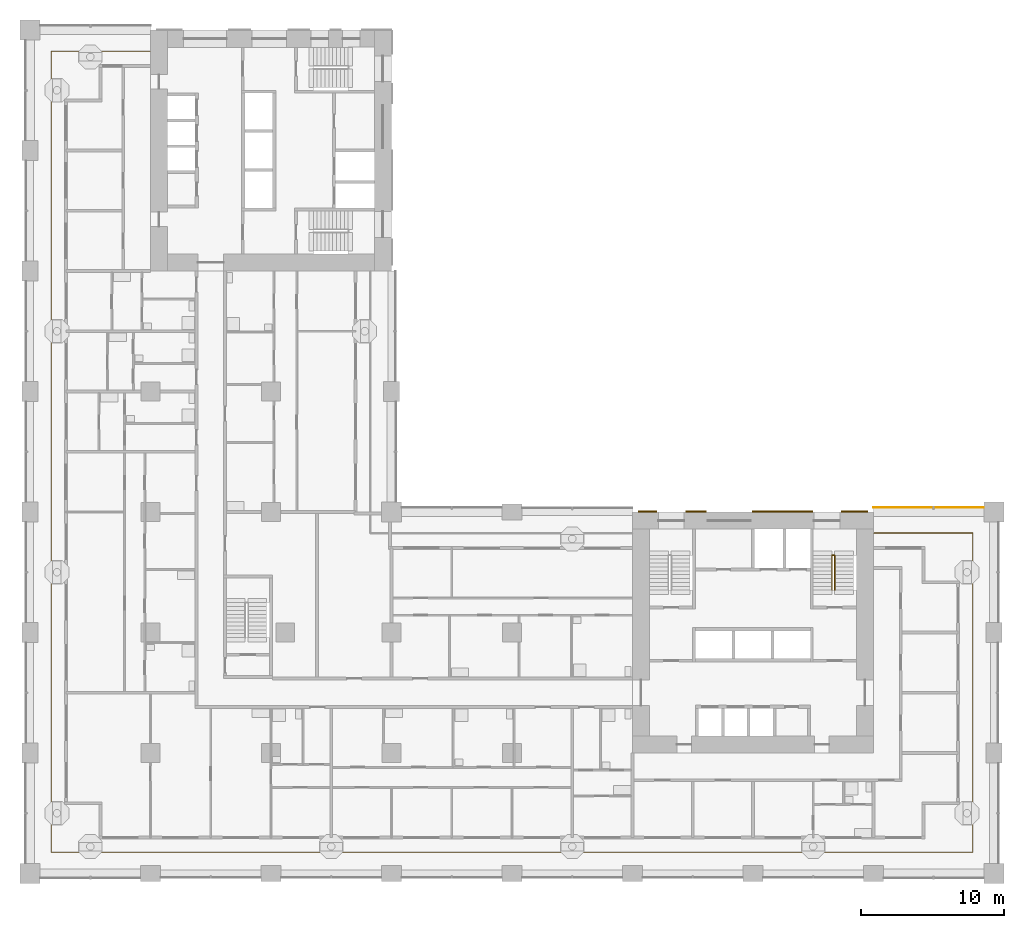
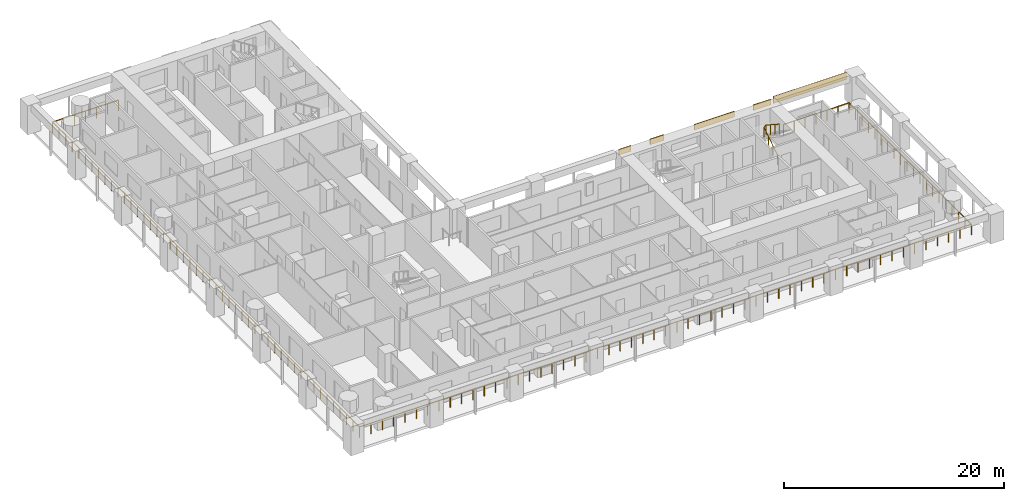
# One storey, part 12 of 19: 5 shading devices, 2 railings.
"""IFC4 building model written with IfcOpenShell, lengths in metres."""

from ifc_helpers import new_model, si_unit, direction, frame, origin, origin_2d, place, context, subcontext, project, spatial, rectangle, circle, extrude, material, layer, layer_set, type_object, element, save


model = new_model("IFC4")

# Units and contexts
model_context = context("Model", 3, precision=1e-05, world=origin(), true_north=direction((0.0, 1.0)))
body_context = subcontext(model_context, "Body", "Model", "MODEL_VIEW")
ifc_project = project(units=[si_unit("LENGTHUNIT", "METRE"), si_unit("AREAUNIT", "SQUARE_METRE"), si_unit("VOLUMEUNIT", "CUBIC_METRE"), si_unit("PLANEANGLEUNIT", "RADIAN"), si_unit("MASSUNIT", "GRAM", prefix="KILO")], contexts=[model_context])

# Site, building, storey
site_placement = place(None, origin())
site = spatial("IfcSite", under=ifc_project, at=site_placement, CompositionType="ELEMENT")
building_placement = place(site_placement, origin())
building = spatial("IfcBuilding", under=site, at=building_placement, Name="Vermilion Gate Residences", CompositionType="ELEMENT")
storey_placement = place(building_placement, frame((0.0, 0.0, 28.699951171875)))
storey = spatial("IfcBuildingStorey", under=building, at=storey_placement, Name="L05", CompositionType="ELEMENT", Elevation=28.699951171875)

# Railing
ifc_material_1 = material(Name="Stainless steel and toughened glass", Category="steel")
railing_type_1 = type_object("IfcRailingType", Name="LOGGIA GUARD STEEL AND GLASS 1200", PredefinedType="GUARDRAIL", material=ifc_material_1)
railing_1_placement = place(storey_placement, frame((8.3779296875, 57.324951171875, 0.0)))
element("IfcRailing", 1, at=railing_1_placement, inside=storey, type_object=railing_type_1, Name="Loggia guard", PredefinedType="GUARDRAIL", context=body_context, shape_type="SweptSolid", body=[
    extrude(circle(Radius=0.030029296875, at=origin_2d()), frame((0.0, 0.0, 1.169921875), z_axis=(-1.0, 0.0, 0.0), x_axis=(0.0, -1.0, 0.0)), (0.0, 0.0, 1.0), 6.90283203125),
    extrude(circle(Radius=0.030029296875, at=origin_2d()), frame((-6.90283203125, 0.0, 1.169921875), z_axis=(0.0, -1.0, 0.0), x_axis=(1.0, 0.0, 0.0)), (0.0, 0.0, 1.0), 55.849853515625),
    extrude(circle(Radius=0.030029296875, at=origin_2d()), frame((-6.90283203125, -55.849853515625, 1.169921875), z_axis=(1.0, 0.0, 0.0), x_axis=(0.0, 1.0, 0.0)), (0.0, 0.0, 1.0), 64.25),
    extrude(circle(Radius=0.030029296875, at=origin_2d()), frame((57.34716796875, -55.849853515625, 1.169921875), z_axis=(0.0, 1.0, 0.0), x_axis=(-1.0, 0.0, 0.0)), (0.0, 0.0, 1.0), 22.25),
    extrude(circle(Radius=0.030029296875, at=origin_2d()), frame((57.34716796875, -33.599853515625, 1.169921875), z_axis=(-1.0, 0.0, 0.0), x_axis=(0.0, -1.0, 0.0)), (0.0, 0.0, 1.0), 6.903076171875),
    extrude(circle(Radius=0.02490234375, at=origin_2d()), origin(), (0.0, 0.0, 1.0), 1.139892578125),
    extrude(circle(Radius=0.02490234375, at=origin_2d()), frame((-1.150390625, 0.0, 0.0)), (0.0, 0.0, 1.0), 1.139892578125),
    extrude(circle(Radius=0.02490234375, at=origin_2d()), frame((-2.301025390625, 0.0, 0.0)), (0.0, 0.0, 1.0), 1.139892578125),
    extrude(circle(Radius=0.02490234375, at=origin_2d()), frame((-3.451416015625, 0.0, 0.0)), (0.0, 0.0, 1.0), 1.139892578125),
    extrude(circle(Radius=0.02490234375, at=origin_2d()), frame((-4.601806640625, 0.0, 0.0)), (0.0, 0.0, 1.0), 1.139892578125),
    extrude(circle(Radius=0.02490234375, at=origin_2d()), frame((-5.75244140625, 0.0, 0.0)), (0.0, 0.0, 1.0), 1.139892578125),
    extrude(circle(Radius=0.02490234375, at=origin_2d()), frame((-6.90283203125, 0.0, 0.0)), (0.0, 0.0, 1.0), 1.139892578125),
    extrude(circle(Radius=0.02490234375, at=origin_2d()), frame((-6.90283203125, -1.188232421875, 0.0)), (0.0, 0.0, 1.0), 1.139892578125),
    extrude(circle(Radius=0.02490234375, at=origin_2d()), frame((-6.90283203125, -2.376708984375, 0.0)), (0.0, 0.0, 1.0), 1.139892578125),
    extrude(circle(Radius=0.02490234375, at=origin_2d()), frame((-6.90283203125, -3.56494140625, 0.0)), (0.0, 0.0, 1.0), 1.139892578125),
    extrude(circle(Radius=0.02490234375, at=origin_2d()), frame((-6.90283203125, -4.753173828125, 0.0)), (0.0, 0.0, 1.0), 1.139892578125),
    extrude(circle(Radius=0.02490234375, at=origin_2d()), frame((-6.90283203125, -5.94140625, 0.0)), (0.0, 0.0, 1.0), 1.139892578125),
    extrude(circle(Radius=0.02490234375, at=origin_2d()), frame((-6.90283203125, -7.1298828125, 0.0)), (0.0, 0.0, 1.0), 1.139892578125),
    extrude(circle(Radius=0.02490234375, at=origin_2d()), frame((-6.90283203125, -8.318115234375, 0.0)), (0.0, 0.0, 1.0), 1.139892578125),
    extrude(circle(Radius=0.02490234375, at=origin_2d()), frame((-6.90283203125, -9.50634765625, 0.0)), (0.0, 0.0, 1.0), 1.139892578125),
    extrude(circle(Radius=0.02490234375, at=origin_2d()), frame((-6.90283203125, -10.694580078125, 0.0)), (0.0, 0.0, 1.0), 1.139892578125),
    extrude(circle(Radius=0.02490234375, at=origin_2d()), frame((-6.90283203125, -11.883056640625, 0.0)), (0.0, 0.0, 1.0), 1.139892578125),
    extrude(circle(Radius=0.02490234375, at=origin_2d()), frame((-6.90283203125, -13.0712890625, 0.0)), (0.0, 0.0, 1.0), 1.139892578125),
    extrude(circle(Radius=0.02490234375, at=origin_2d()), frame((-6.90283203125, -14.259521484375, 0.0)), (0.0, 0.0, 1.0), 1.139892578125),
    extrude(circle(Radius=0.02490234375, at=origin_2d()), frame((-6.90283203125, -15.44775390625, 0.0)), (0.0, 0.0, 1.0), 1.139892578125),
    extrude(circle(Radius=0.02490234375, at=origin_2d()), frame((-6.90283203125, -16.63623046875, 0.0)), (0.0, 0.0, 1.0), 1.139892578125),
    extrude(circle(Radius=0.02490234375, at=origin_2d()), frame((-6.90283203125, -17.824462890625, 0.0)), (0.0, 0.0, 1.0), 1.139892578125),
    extrude(circle(Radius=0.02490234375, at=origin_2d()), frame((-6.90283203125, -19.0126953125, 0.0)), (0.0, 0.0, 1.0), 1.139892578125),
    extrude(circle(Radius=0.02490234375, at=origin_2d()), frame((-6.90283203125, -20.200927734375, 0.0)), (0.0, 0.0, 1.0), 1.139892578125),
    extrude(circle(Radius=0.02490234375, at=origin_2d()), frame((-6.90283203125, -21.389404296875, 0.0)), (0.0, 0.0, 1.0), 1.139892578125),
    extrude(circle(Radius=0.02490234375, at=origin_2d()), frame((-6.90283203125, -22.57763671875, 0.0)), (0.0, 0.0, 1.0), 1.139892578125),
    extrude(circle(Radius=0.02490234375, at=origin_2d()), frame((-6.90283203125, -23.765869140625, 0.0)), (0.0, 0.0, 1.0), 1.139892578125),
    extrude(circle(Radius=0.02490234375, at=origin_2d()), frame((-6.90283203125, -24.9541015625, 0.0)), (0.0, 0.0, 1.0), 1.139892578125),
    extrude(circle(Radius=0.02490234375, at=origin_2d()), frame((-6.90283203125, -26.142578125, 0.0)), (0.0, 0.0, 1.0), 1.139892578125),
    extrude(circle(Radius=0.02490234375, at=origin_2d()), frame((-6.90283203125, -27.330810546875, 0.0)), (0.0, 0.0, 1.0), 1.139892578125),
    extrude(circle(Radius=0.02490234375, at=origin_2d()), frame((-6.90283203125, -28.51904296875, 0.0)), (0.0, 0.0, 1.0), 1.139892578125),
    extrude(circle(Radius=0.02490234375, at=origin_2d()), frame((-6.90283203125, -29.707275390625, 0.0)), (0.0, 0.0, 1.0), 1.139892578125),
    extrude(circle(Radius=0.02490234375, at=origin_2d()), frame((-6.90283203125, -30.895751953125, 0.0)), (0.0, 0.0, 1.0), 1.139892578125),
    extrude(circle(Radius=0.02490234375, at=origin_2d()), frame((-6.90283203125, -32.083984375, 0.0)), (0.0, 0.0, 1.0), 1.139892578125),
    extrude(circle(Radius=0.02490234375, at=origin_2d()), frame((-6.90283203125, -33.272216796875, 0.0)), (0.0, 0.0, 1.0), 1.139892578125),
    extrude(circle(Radius=0.02490234375, at=origin_2d()), frame((-6.90283203125, -34.46044921875, 0.0)), (0.0, 0.0, 1.0), 1.139892578125),
    extrude(circle(Radius=0.02490234375, at=origin_2d()), frame((-6.90283203125, -35.64892578125, 0.0)), (0.0, 0.0, 1.0), 1.139892578125),
    extrude(circle(Radius=0.02490234375, at=origin_2d()), frame((-6.90283203125, -36.837158203125, 0.0)), (0.0, 0.0, 1.0), 1.139892578125),
    extrude(circle(Radius=0.02490234375, at=origin_2d()), frame((-6.90283203125, -38.025390625, 0.0)), (0.0, 0.0, 1.0), 1.139892578125),
    extrude(circle(Radius=0.02490234375, at=origin_2d()), frame((-6.90283203125, -39.213623046875, 0.0)), (0.0, 0.0, 1.0), 1.139892578125),
    extrude(circle(Radius=0.02490234375, at=origin_2d()), frame((-6.90283203125, -40.402099609375, 0.0)), (0.0, 0.0, 1.0), 1.139892578125),
    extrude(circle(Radius=0.02490234375, at=origin_2d()), frame((-6.90283203125, -41.59033203125, 0.0)), (0.0, 0.0, 1.0), 1.139892578125),
    extrude(circle(Radius=0.02490234375, at=origin_2d()), frame((-6.90283203125, -42.778564453125, 0.0)), (0.0, 0.0, 1.0), 1.139892578125),
    extrude(circle(Radius=0.02490234375, at=origin_2d()), frame((-6.90283203125, -43.966796875, 0.0)), (0.0, 0.0, 1.0), 1.139892578125),
    extrude(circle(Radius=0.02490234375, at=origin_2d()), frame((-6.90283203125, -45.1552734375, 0.0)), (0.0, 0.0, 1.0), 1.139892578125),
    extrude(circle(Radius=0.02490234375, at=origin_2d()), frame((-6.90283203125, -46.343505859375, 0.0)), (0.0, 0.0, 1.0), 1.139892578125),
    extrude(circle(Radius=0.02490234375, at=origin_2d()), frame((-6.90283203125, -47.53173828125, 0.0)), (0.0, 0.0, 1.0), 1.139892578125),
    extrude(circle(Radius=0.02490234375, at=origin_2d()), frame((-6.90283203125, -48.719970703125, 0.0)), (0.0, 0.0, 1.0), 1.139892578125),
    extrude(circle(Radius=0.02490234375, at=origin_2d()), frame((-6.90283203125, -49.908447265625, 0.0)), (0.0, 0.0, 1.0), 1.139892578125),
    extrude(circle(Radius=0.02490234375, at=origin_2d()), frame((-6.90283203125, -51.0966796875, 0.0)), (0.0, 0.0, 1.0), 1.139892578125),
    extrude(circle(Radius=0.02490234375, at=origin_2d()), frame((-6.90283203125, -52.284912109375, 0.0)), (0.0, 0.0, 1.0), 1.139892578125),
    extrude(circle(Radius=0.02490234375, at=origin_2d()), frame((-6.90283203125, -53.47314453125, 0.0)), (0.0, 0.0, 1.0), 1.139892578125),
    extrude(circle(Radius=0.02490234375, at=origin_2d()), frame((-6.90283203125, -54.66162109375, 0.0)), (0.0, 0.0, 1.0), 1.139892578125),
    extrude(circle(Radius=0.02490234375, at=origin_2d()), frame((-6.90283203125, -55.849853515625, 0.0)), (0.0, 0.0, 1.0), 1.139892578125),
    extrude(circle(Radius=0.02490234375, at=origin_2d()), frame((-5.713134765625, -55.849853515625, 0.0)), (0.0, 0.0, 1.0), 1.139892578125),
    extrude(circle(Radius=0.02490234375, at=origin_2d()), frame((-4.523193359375, -55.849853515625, 0.0)), (0.0, 0.0, 1.0), 1.139892578125),
    extrude(circle(Radius=0.02490234375, at=origin_2d()), frame((-3.33349609375, -55.849853515625, 0.0)), (0.0, 0.0, 1.0), 1.139892578125),
    extrude(circle(Radius=0.02490234375, at=origin_2d()), frame((-2.1435546875, -55.849853515625, 0.0)), (0.0, 0.0, 1.0), 1.139892578125),
    extrude(circle(Radius=0.02490234375, at=origin_2d()), frame((-0.953857421875, -55.849853515625, 0.0)), (0.0, 0.0, 1.0), 1.139892578125),
    extrude(circle(Radius=0.02490234375, at=origin_2d()), frame((0.236083984375, -55.849853515625, 0.0)), (0.0, 0.0, 1.0), 1.139892578125),
    extrude(circle(Radius=0.02490234375, at=origin_2d()), frame((1.42578125, -55.849853515625, 0.0)), (0.0, 0.0, 1.0), 1.139892578125),
    extrude(circle(Radius=0.02490234375, at=origin_2d()), frame((2.61572265625, -55.849853515625, 0.0)), (0.0, 0.0, 1.0), 1.139892578125),
    extrude(circle(Radius=0.02490234375, at=origin_2d()), frame((3.805419921875, -55.849853515625, 0.0)), (0.0, 0.0, 1.0), 1.139892578125),
    extrude(circle(Radius=0.02490234375, at=origin_2d()), frame((4.995361328125, -55.849853515625, 0.0)), (0.0, 0.0, 1.0), 1.139892578125),
    extrude(circle(Radius=0.02490234375, at=origin_2d()), frame((6.18505859375, -55.849853515625, 0.0)), (0.0, 0.0, 1.0), 1.139892578125),
    extrude(circle(Radius=0.02490234375, at=origin_2d()), frame((7.375, -55.849853515625, 0.0)), (0.0, 0.0, 1.0), 1.139892578125),
    extrude(circle(Radius=0.02490234375, at=origin_2d()), frame((8.564697265625, -55.849853515625, 0.0)), (0.0, 0.0, 1.0), 1.139892578125),
    extrude(circle(Radius=0.02490234375, at=origin_2d()), frame((9.754638671875, -55.849853515625, 0.0)), (0.0, 0.0, 1.0), 1.139892578125),
    extrude(circle(Radius=0.02490234375, at=origin_2d()), frame((10.9443359375, -55.849853515625, 0.0)), (0.0, 0.0, 1.0), 1.139892578125),
    extrude(circle(Radius=0.02490234375, at=origin_2d()), frame((12.13427734375, -55.849853515625, 0.0)), (0.0, 0.0, 1.0), 1.139892578125),
    extrude(circle(Radius=0.02490234375, at=origin_2d()), frame((13.323974609375, -55.849853515625, 0.0)), (0.0, 0.0, 1.0), 1.139892578125),
    extrude(circle(Radius=0.02490234375, at=origin_2d()), frame((14.513916015625, -55.849853515625, 0.0)), (0.0, 0.0, 1.0), 1.139892578125),
    extrude(circle(Radius=0.02490234375, at=origin_2d()), frame((15.70361328125, -55.849853515625, 0.0)), (0.0, 0.0, 1.0), 1.139892578125),
    extrude(circle(Radius=0.02490234375, at=origin_2d()), frame((16.8935546875, -55.849853515625, 0.0)), (0.0, 0.0, 1.0), 1.139892578125),
    extrude(circle(Radius=0.02490234375, at=origin_2d()), frame((18.083251953125, -55.849853515625, 0.0)), (0.0, 0.0, 1.0), 1.139892578125),
    extrude(circle(Radius=0.02490234375, at=origin_2d()), frame((19.273193359375, -55.849853515625, 0.0)), (0.0, 0.0, 1.0), 1.139892578125),
    extrude(circle(Radius=0.02490234375, at=origin_2d()), frame((20.462890625, -55.849853515625, 0.0)), (0.0, 0.0, 1.0), 1.139892578125),
    extrude(circle(Radius=0.02490234375, at=origin_2d()), frame((21.65283203125, -55.849853515625, 0.0)), (0.0, 0.0, 1.0), 1.139892578125),
    extrude(circle(Radius=0.02490234375, at=origin_2d()), frame((22.842529296875, -55.849853515625, 0.0)), (0.0, 0.0, 1.0), 1.139892578125),
    extrude(circle(Radius=0.02490234375, at=origin_2d()), frame((24.032470703125, -55.849853515625, 0.0)), (0.0, 0.0, 1.0), 1.139892578125),
    extrude(circle(Radius=0.02490234375, at=origin_2d()), frame((25.22216796875, -55.849853515625, 0.0)), (0.0, 0.0, 1.0), 1.139892578125),
    extrude(circle(Radius=0.02490234375, at=origin_2d()), frame((26.411865234375, -55.849853515625, 0.0)), (0.0, 0.0, 1.0), 1.139892578125),
    extrude(circle(Radius=0.02490234375, at=origin_2d()), frame((27.601806640625, -55.849853515625, 0.0)), (0.0, 0.0, 1.0), 1.139892578125),
    extrude(circle(Radius=0.02490234375, at=origin_2d()), frame((28.79150390625, -55.849853515625, 0.0)), (0.0, 0.0, 1.0), 1.139892578125),
    extrude(circle(Radius=0.02490234375, at=origin_2d()), frame((29.9814453125, -55.849853515625, 0.0)), (0.0, 0.0, 1.0), 1.139892578125),
    extrude(circle(Radius=0.02490234375, at=origin_2d()), frame((31.171142578125, -55.849853515625, 0.0)), (0.0, 0.0, 1.0), 1.139892578125),
    extrude(circle(Radius=0.02490234375, at=origin_2d()), frame((32.361083984375, -55.849853515625, 0.0)), (0.0, 0.0, 1.0), 1.139892578125),
    extrude(circle(Radius=0.02490234375, at=origin_2d()), frame((33.55078125, -55.849853515625, 0.0)), (0.0, 0.0, 1.0), 1.139892578125),
    extrude(circle(Radius=0.02490234375, at=origin_2d()), frame((34.74072265625, -55.849853515625, 0.0)), (0.0, 0.0, 1.0), 1.139892578125),
    extrude(circle(Radius=0.02490234375, at=origin_2d()), frame((35.930419921875, -55.849853515625, 0.0)), (0.0, 0.0, 1.0), 1.139892578125),
    extrude(circle(Radius=0.02490234375, at=origin_2d()), frame((37.120361328125, -55.849853515625, 0.0)), (0.0, 0.0, 1.0), 1.139892578125),
    extrude(circle(Radius=0.02490234375, at=origin_2d()), frame((38.31005859375, -55.849853515625, 0.0)), (0.0, 0.0, 1.0), 1.139892578125),
    extrude(circle(Radius=0.02490234375, at=origin_2d()), frame((39.5, -55.849853515625, 0.0)), (0.0, 0.0, 1.0), 1.139892578125),
    extrude(circle(Radius=0.02490234375, at=origin_2d()), frame((40.689697265625, -55.849853515625, 0.0)), (0.0, 0.0, 1.0), 1.139892578125),
    extrude(circle(Radius=0.02490234375, at=origin_2d()), frame((41.879638671875, -55.849853515625, 0.0)), (0.0, 0.0, 1.0), 1.139892578125),
    extrude(circle(Radius=0.02490234375, at=origin_2d()), frame((43.0693359375, -55.849853515625, 0.0)), (0.0, 0.0, 1.0), 1.139892578125),
    extrude(circle(Radius=0.02490234375, at=origin_2d()), frame((44.25927734375, -55.849853515625, 0.0)), (0.0, 0.0, 1.0), 1.139892578125),
    extrude(circle(Radius=0.02490234375, at=origin_2d()), frame((45.448974609375, -55.849853515625, 0.0)), (0.0, 0.0, 1.0), 1.139892578125),
    extrude(circle(Radius=0.02490234375, at=origin_2d()), frame((46.638916015625, -55.849853515625, 0.0)), (0.0, 0.0, 1.0), 1.139892578125),
    extrude(circle(Radius=0.02490234375, at=origin_2d()), frame((47.82861328125, -55.849853515625, 0.0)), (0.0, 0.0, 1.0), 1.139892578125),
    extrude(circle(Radius=0.02490234375, at=origin_2d()), frame((49.0185546875, -55.849853515625, 0.0)), (0.0, 0.0, 1.0), 1.139892578125),
    extrude(circle(Radius=0.02490234375, at=origin_2d()), frame((50.208251953125, -55.849853515625, 0.0)), (0.0, 0.0, 1.0), 1.139892578125),
    extrude(circle(Radius=0.02490234375, at=origin_2d()), frame((51.398193359375, -55.849853515625, 0.0)), (0.0, 0.0, 1.0), 1.139892578125),
    extrude(circle(Radius=0.02490234375, at=origin_2d()), frame((52.587890625, -55.849853515625, 0.0)), (0.0, 0.0, 1.0), 1.139892578125),
    extrude(circle(Radius=0.02490234375, at=origin_2d()), frame((53.77783203125, -55.849853515625, 0.0)), (0.0, 0.0, 1.0), 1.139892578125),
    extrude(circle(Radius=0.02490234375, at=origin_2d()), frame((54.967529296875, -55.849853515625, 0.0)), (0.0, 0.0, 1.0), 1.139892578125),
    extrude(circle(Radius=0.02490234375, at=origin_2d()), frame((56.157470703125, -55.849853515625, 0.0)), (0.0, 0.0, 1.0), 1.139892578125),
    extrude(circle(Radius=0.02490234375, at=origin_2d()), frame((57.34716796875, -55.849853515625, 0.0)), (0.0, 0.0, 1.0), 1.139892578125),
    extrude(circle(Radius=0.02490234375, at=origin_2d()), frame((57.34716796875, -54.6787109375, 0.0)), (0.0, 0.0, 1.0), 1.139892578125),
    extrude(circle(Radius=0.02490234375, at=origin_2d()), frame((57.34716796875, -53.5078125, 0.0)), (0.0, 0.0, 1.0), 1.139892578125),
    extrude(circle(Radius=0.02490234375, at=origin_2d()), frame((57.34716796875, -52.336669921875, 0.0)), (0.0, 0.0, 1.0), 1.139892578125),
    extrude(circle(Radius=0.02490234375, at=origin_2d()), frame((57.34716796875, -51.16552734375, 0.0)), (0.0, 0.0, 1.0), 1.139892578125),
    extrude(circle(Radius=0.02490234375, at=origin_2d()), frame((57.34716796875, -49.99462890625, 0.0)), (0.0, 0.0, 1.0), 1.139892578125),
    extrude(circle(Radius=0.02490234375, at=origin_2d()), frame((57.34716796875, -48.823486328125, 0.0)), (0.0, 0.0, 1.0), 1.139892578125),
    extrude(circle(Radius=0.02490234375, at=origin_2d()), frame((57.34716796875, -47.652587890625, 0.0)), (0.0, 0.0, 1.0), 1.139892578125),
    extrude(circle(Radius=0.02490234375, at=origin_2d()), frame((57.34716796875, -46.4814453125, 0.0)), (0.0, 0.0, 1.0), 1.139892578125),
    extrude(circle(Radius=0.02490234375, at=origin_2d()), frame((57.34716796875, -45.310302734375, 0.0)), (0.0, 0.0, 1.0), 1.139892578125),
    extrude(circle(Radius=0.02490234375, at=origin_2d()), frame((57.34716796875, -44.139404296875, 0.0)), (0.0, 0.0, 1.0), 1.139892578125),
    extrude(circle(Radius=0.02490234375, at=origin_2d()), frame((57.34716796875, -42.96826171875, 0.0)), (0.0, 0.0, 1.0), 1.139892578125),
    extrude(circle(Radius=0.02490234375, at=origin_2d()), frame((57.34716796875, -41.797119140625, 0.0)), (0.0, 0.0, 1.0), 1.139892578125),
    extrude(circle(Radius=0.02490234375, at=origin_2d()), frame((57.34716796875, -40.626220703125, 0.0)), (0.0, 0.0, 1.0), 1.139892578125),
    extrude(circle(Radius=0.02490234375, at=origin_2d()), frame((57.34716796875, -39.455078125, 0.0)), (0.0, 0.0, 1.0), 1.139892578125),
    extrude(circle(Radius=0.02490234375, at=origin_2d()), frame((57.34716796875, -38.2841796875, 0.0)), (0.0, 0.0, 1.0), 1.139892578125),
    extrude(circle(Radius=0.02490234375, at=origin_2d()), frame((57.34716796875, -37.113037109375, 0.0)), (0.0, 0.0, 1.0), 1.139892578125),
    extrude(circle(Radius=0.02490234375, at=origin_2d()), frame((57.34716796875, -35.94189453125, 0.0)), (0.0, 0.0, 1.0), 1.139892578125),
    extrude(circle(Radius=0.02490234375, at=origin_2d()), frame((57.34716796875, -34.77099609375, 0.0)), (0.0, 0.0, 1.0), 1.139892578125),
    extrude(circle(Radius=0.02490234375, at=origin_2d()), frame((57.34716796875, -33.599853515625, 0.0)), (0.0, 0.0, 1.0), 1.139892578125),
    extrude(circle(Radius=0.02490234375, at=origin_2d()), frame((56.19677734375, -33.599853515625, 0.0)), (0.0, 0.0, 1.0), 1.139892578125),
    extrude(circle(Radius=0.02490234375, at=origin_2d()), frame((55.046142578125, -33.599853515625, 0.0)), (0.0, 0.0, 1.0), 1.139892578125),
    extrude(circle(Radius=0.02490234375, at=origin_2d()), frame((53.8955078125, -33.599853515625, 0.0)), (0.0, 0.0, 1.0), 1.139892578125),
    extrude(circle(Radius=0.02490234375, at=origin_2d()), frame((52.7451171875, -33.599853515625, 0.0)), (0.0, 0.0, 1.0), 1.139892578125),
    extrude(circle(Radius=0.02490234375, at=origin_2d()), frame((51.5947265625, -33.599853515625, 0.0)), (0.0, 0.0, 1.0), 1.139892578125),
    extrude(circle(Radius=0.02490234375, at=origin_2d()), frame((50.444091796875, -33.599853515625, 0.0)), (0.0, 0.0, 1.0), 1.139892578125),
])

# Shading device
ifc_material_2 = material(Name="Perforated terracotta", Category="masonry")
ifc_layer_1 = layer(ifc_material_2, 0.0400390625)
ifc_layer_set_1 = layer_set([ifc_layer_1], Name="PERFORATED TERRACOTTA SCREEN 40")
shading_device_type_1 = type_object("IfcShadingDeviceType", Name="PERFORATED TERRACOTTA SCREEN 40", PredefinedType="SHUTTER", material=ifc_layer_set_1)
shading_device_1_placement = place(storey_placement, frame((62.64990234375, 25.52001953125, 2.419921875), z_axis=(0.0, 0.0, 1.0), x_axis=(-1.0, 0.0, 0.0)))
element("IfcShadingDevice", 2, at=shading_device_1_placement, inside=storey, type_object=shading_device_type_1, Name="SCREEN", PredefinedType="SHUTTER", context=body_context, shape_type="SweptSolid", body=[
    extrude(rectangle(XDim=7.699951171875, YDim=0.0400390625, at=origin_2d()), origin(), (0.0, 0.0, 1.0), 0.800048828125),
])

# Railing
ifc_material_3 = material(Name="Steel S355", Category="steel")
railing_type_2 = type_object("IfcRailingType", Name="STAIR GUARD 1100 STEEL", PredefinedType="GUARDRAIL", material=ifc_material_3)
railing_2_placement = place(storey_placement, frame((55.89990234375, 19.75, 0.175048828125)))
element("IfcRailing", 3, at=railing_2_placement, inside=storey, type_object=railing_type_2, Name="Stair well guard STA2-05", PredefinedType="GUARDRAIL", context=body_context, shape_type="SweptSolid", body=[
    extrude(circle(Radius=0.02392578125, at=origin_2d()), frame((0.0, 0.0, 1.076171875), z_axis=(0.0, 0.839153699163, 0.543894354798), x_axis=(-1.0, 0.0, 0.0)), (0.0, 0.0, 1.0), 2.895751953125),
    extrude(circle(Radius=0.02392578125, at=origin_2d()), frame((0.0, 2.429931640625, 2.65087890625), z_axis=(0.752804132164, 0.0, 0.658244588734), x_axis=(0.0, 1.0, 0.0)), (0.0, 0.0, 1.0), 0.265869140625),
    extrude(circle(Radius=0.02392578125, at=origin_2d()), frame((0.2001953125, 2.429931640625, 2.826171875), z_axis=(0.0, -0.839153699163, 0.543894354798), x_axis=(1.0, 0.0, 0.0)), (0.0, 0.0, 1.0), 2.895751953125),
    extrude(circle(Radius=0.02099609375, at=origin_2d()), origin(), (0.0, 0.0, 1.0), 1.052001953125),
    extrude(circle(Radius=0.02099609375, at=origin_2d()), frame((0.0, 0.81005859375, 0.52490234375)), (0.0, 0.0, 1.0), 1.052001953125),
    extrude(circle(Radius=0.02099609375, at=origin_2d()), frame((0.0, 1.619873046875, 1.050048828125)), (0.0, 0.0, 1.0), 1.052001953125),
    extrude(circle(Radius=0.02099609375, at=origin_2d()), frame((0.0, 2.429931640625, 1.574951171875)), (0.0, 0.0, 1.0), 1.052001953125),
    extrude(circle(Radius=0.02099609375, at=origin_2d()), frame((0.2001953125, 2.429931640625, 1.75)), (0.0, 0.0, 1.0), 1.052001953125),
    extrude(circle(Radius=0.02099609375, at=origin_2d()), frame((0.2001953125, 1.619873046875, 2.27490234375)), (0.0, 0.0, 1.0), 1.052001953125),
    extrude(circle(Radius=0.02099609375, at=origin_2d()), frame((0.2001953125, 0.81005859375, 2.800048828125)), (0.0, 0.0, 1.0), 1.052001953125),
    extrude(circle(Radius=0.02099609375, at=origin_2d()), frame((0.2001953125, 0.0, 3.324951171875)), (0.0, 0.0, 1.0), 1.052001953125),
])

# Shading devices
ifc_material_4 = material(Name="Extruded terracotta", Category="masonry")
ifc_layer_2 = layer(ifc_material_4, 0.10009765625)
ifc_layer_set_2 = layer_set([ifc_layer_2], Name="TERRACOTTA SPANDREL BAND 600 X 100")
shading_device_type_2 = type_object("IfcShadingDeviceType", Name="TERRACOTTA SPANDREL BAND 600 X 100", PredefinedType="USERDEFINED", material=ifc_layer_set_2)
shading_device_2_placement = place(storey_placement, frame((43.050048828125, 25.25, 2.6201171875), z_axis=(0.0, 0.0, 1.0), x_axis=(1.0, 0.0, 0.0)))
element("IfcShadingDevice", 4, at=shading_device_2_placement, inside=storey, type_object=shading_device_type_2, Name="SPANDREL BAND", ObjectType="BAND", PredefinedType="USERDEFINED", context=body_context, shape_type="SweptSolid", body=[
    extrude(rectangle(XDim=1.300048828125, YDim=0.10009765625, at=origin_2d()), origin(), (0.0, 0.0, 1.0), 0.60009765625),
])
shading_device_3_placement = place(storey_placement, frame((46.425048828125, 25.25, 2.6201171875), z_axis=(0.0, 0.0, 1.0), x_axis=(1.0, 0.0, 0.0)))
element("IfcShadingDevice", 5, at=shading_device_3_placement, inside=storey, type_object=shading_device_type_2, Name="SPANDREL BAND", ObjectType="BAND", PredefinedType="USERDEFINED", context=body_context, shape_type="SweptSolid", body=[
    extrude(rectangle(XDim=1.449951171875, YDim=0.10009765625, at=origin_2d()), origin(), (0.0, 0.0, 1.0), 0.60009765625),
])
shading_device_4_placement = place(storey_placement, frame((52.449951171875, 25.25, 2.6201171875), z_axis=(0.0, 0.0, 1.0), x_axis=(1.0, 0.0, 0.0)))
element("IfcShadingDevice", 6, at=shading_device_4_placement, inside=storey, type_object=shading_device_type_2, Name="SPANDREL BAND", ObjectType="BAND", PredefinedType="USERDEFINED", context=body_context, shape_type="SweptSolid", body=[
    extrude(rectangle(XDim=4.199951171875, YDim=0.10009765625, at=origin_2d()), origin(), (0.0, 0.0, 1.0), 0.60009765625),
])
shading_device_5_placement = place(storey_placement, frame((57.47509765625, 25.25, 2.6201171875), z_axis=(0.0, 0.0, 1.0), x_axis=(1.0, 0.0, 0.0)))
element("IfcShadingDevice", 7, at=shading_device_5_placement, inside=storey, type_object=shading_device_type_2, Name="SPANDREL BAND", ObjectType="BAND", PredefinedType="USERDEFINED", context=body_context, shape_type="SweptSolid", body=[
    extrude(rectangle(XDim=1.85009765625, YDim=0.10009765625, at=origin_2d()), origin(), (0.0, 0.0, 1.0), 0.60009765625),
])

save(model, "model.ifc")
